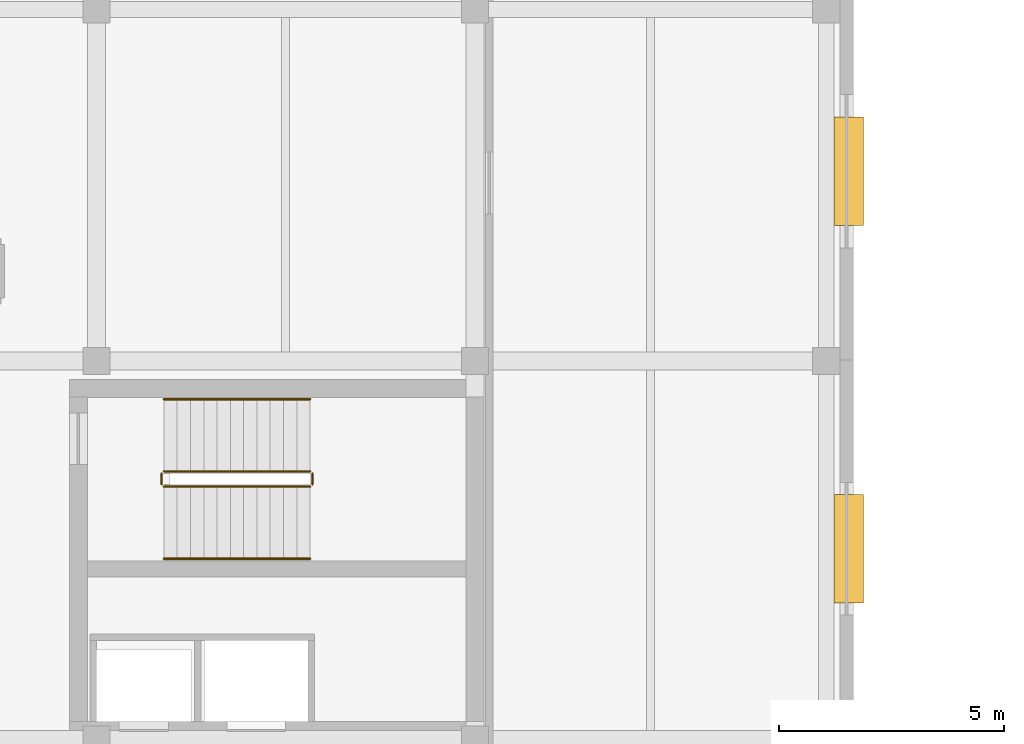
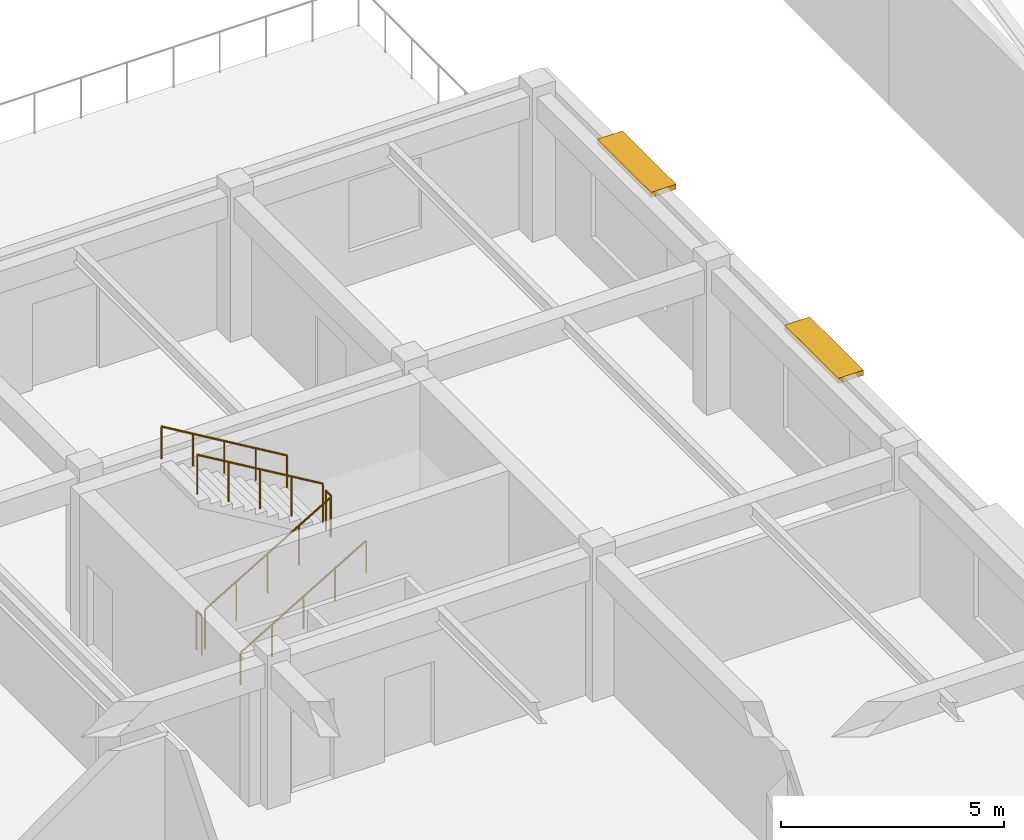
# One storey, part 122 of 123: 6 railings, 2 shading devices.
"""IFC4 building model written with IfcOpenShell, lengths in metres."""

from ifc_helpers import new_model, si_unit, direction, frame, origin, origin_2d, place, context, subcontext, project, spatial, rectangle, circle, extrude, material, type_object, element, save


model = new_model("IFC4")

# Units and contexts
model_context = context("Model", 3, precision=1e-05, world=origin(), true_north=direction((0.0, 1.0)))
body_context = subcontext(model_context, "Body", "Model", "MODEL_VIEW")
ifc_project = project(units=[si_unit("LENGTHUNIT", "METRE"), si_unit("AREAUNIT", "SQUARE_METRE"), si_unit("VOLUMEUNIT", "CUBIC_METRE"), si_unit("PLANEANGLEUNIT", "RADIAN"), si_unit("MASSUNIT", "GRAM", prefix="KILO")], contexts=[model_context])

# Site, building, storey
site_placement = place(None, origin())
site = spatial("IfcSite", under=ifc_project, at=site_placement, CompositionType="ELEMENT")
building_placement = place(site_placement, origin())
building = spatial("IfcBuilding", under=site, at=building_placement, Name="Zayran Congress Hotel", CompositionType="ELEMENT")
storey_placement = place(building_placement, frame((0.0, 0.0, 15.0)))
storey = spatial("IfcBuildingStorey", under=building, at=storey_placement, Name="L03", CompositionType="ELEMENT", Elevation=15.0)

# Shading devices
ifc_material_1 = material(Name="Precast concrete C40/50", Category="concrete")
shading_device_type = type_object("IfcShadingDeviceType", Name="TP-SHD-01", PredefinedType="JALOUSIE", material=ifc_material_1)
for number, where, z_axis, x_axis, name in (
    (1, (134.300048828125, 88.632080078125, 3.7802734375), (0.0, 0.0, 1.0), (0.0, 1.0, 0.0), "Precast Brise Soleil Louvre 22"),
    (2, (134.300048828125, 97.010986328125, 3.7802734375), (0.0, 0.0, 1.0), (0.0, 1.0, 0.0), "Precast Brise Soleil Louvre 23"),
):
    element("IfcShadingDevice", number, at=place(storey_placement, frame(where, z_axis=z_axis, x_axis=x_axis)), inside=storey, type_object=shading_device_type, Name=name, PredefinedType="JALOUSIE", context=body_context, shape_type="SweptSolid", body=[
        extrude(rectangle(XDim=2.39990234375, YDim=0.64990234375, at=origin_2d()), origin(), (0.0, 0.0, 1.0), 0.139892578125),
    ])

# Railings
ifc_material_2 = material(Name="Painted steel balustrade", Category="steel")
railing_type_1 = type_object("IfcRailingType", Name="TP-GRD-INT", PredefinedType="GUARDRAIL", material=ifc_material_2)
railing_1_placement = place(storey_placement, frame((119.10009765625, 90.010009765625, 0.175048828125)))
element("IfcRailing", 3, at=railing_1_placement, inside=storey, type_object=railing_type_1, Name="L03 ST-07 stair guard 1", PredefinedType="GUARDRAIL", context=body_context, shape_type="SweptSolid", body=[
    extrude(circle(Radius=0.02392578125, at=origin_2d()), frame((0.0, 0.0, 1.076171875), z_axis=(0.860040215814, 0.0, 0.510226250974), x_axis=(0.0, 1.0, 0.0)), (0.0, 0.0, 1.0), 3.77294921875),
    extrude(circle(Radius=0.02099609375, at=origin_2d()), origin(), (0.0, 0.0, 1.0), 1.052001953125),
    extrude(circle(Radius=0.02099609375, at=origin_2d()), frame((0.811279296875, 0.0, 0.481201171875)), (0.0, 0.0, 1.0), 1.052001953125),
    extrude(circle(Radius=0.02099609375, at=origin_2d()), frame((1.62255859375, 0.0, 0.96240234375)), (0.0, 0.0, 1.0), 1.052001953125),
    extrude(circle(Radius=0.02099609375, at=origin_2d()), frame((2.43359375, 0.0, 1.44384765625)), (0.0, 0.0, 1.0), 1.052001953125),
    extrude(circle(Radius=0.02099609375, at=origin_2d()), frame((3.244873046875, 0.0, 1.925048828125)), (0.0, 0.0, 1.0), 1.052001953125),
])
railing_2_placement = place(storey_placement, frame((122.39501953125, 90.06005859375, 2.10009765625)))
element("IfcRailing", 4, at=railing_2_placement, inside=storey, type_object=railing_type_1, Name="L03 ST-07 stair guard 2", PredefinedType="GUARDRAIL", context=body_context, shape_type="SweptSolid", body=[
    extrude(circle(Radius=0.02392578125, at=origin_2d()), frame((0.0, 0.0, 1.076171875), z_axis=(0.0, 1.0, 0.0), x_axis=(-1.0, 0.0, 0.0)), (0.0, 0.0, 1.0), 0.239990234375),
    extrude(circle(Radius=0.02099609375, at=origin_2d()), origin(), (0.0, 0.0, 1.0), 1.052001953125),
    extrude(circle(Radius=0.02099609375, at=origin_2d()), frame((0.0, 0.239990234375, 0.0)), (0.0, 0.0, 1.0), 1.052001953125),
])
railing_3_placement = place(storey_placement, frame((122.344970703125, 90.35009765625, 2.27490234375)))
element("IfcRailing", 5, at=railing_3_placement, inside=storey, type_object=railing_type_1, Name="L03 ST-07 stair guard 3", PredefinedType="GUARDRAIL", context=body_context, shape_type="SweptSolid", body=[
    extrude(circle(Radius=0.02392578125, at=origin_2d()), frame((0.0, 0.0, 1.076171875), z_axis=(-0.860040215814, 0.0, 0.510226250974), x_axis=(0.0, -1.0, 0.0)), (0.0, 0.0, 1.0), 3.77294921875),
    extrude(circle(Radius=0.02099609375, at=origin_2d()), origin(), (0.0, 0.0, 1.0), 1.052001953125),
    extrude(circle(Radius=0.02099609375, at=origin_2d()), frame((-0.811279296875, 0.0, 0.481201171875)), (0.0, 0.0, 1.0), 1.052001953125),
    extrude(circle(Radius=0.02099609375, at=origin_2d()), frame((-1.62255859375, 0.0, 0.96240234375)), (0.0, 0.0, 1.0), 1.052001953125),
    extrude(circle(Radius=0.02099609375, at=origin_2d()), frame((-2.43359375, 0.0, 1.44384765625)), (0.0, 0.0, 1.0), 1.052001953125),
    extrude(circle(Radius=0.02099609375, at=origin_2d()), frame((-3.244873046875, 0.0, 1.925048828125)), (0.0, 0.0, 1.0), 1.052001953125),
])
railing_4_placement = place(storey_placement, frame((119.050048828125, 90.06005859375, 0.0)))
element("IfcRailing", 6, at=railing_4_placement, inside=storey, type_object=railing_type_1, Name="L03 ST-07 stair guard 4", PredefinedType="GUARDRAIL", context=body_context, shape_type="SweptSolid", body=[
    extrude(circle(Radius=0.02392578125, at=origin_2d()), frame((0.0, 0.0, 1.076171875), z_axis=(0.0, 1.0, 0.0), x_axis=(-1.0, 0.0, 0.0)), (0.0, 0.0, 1.0), 0.239990234375),
    extrude(circle(Radius=0.02099609375, at=origin_2d()), origin(), (0.0, 0.0, 1.0), 1.052001953125),
    extrude(circle(Radius=0.02099609375, at=origin_2d()), frame((0.0, 0.239990234375, 0.0)), (0.0, 0.0, 1.0), 1.052001953125),
])
ifc_material_3 = material(Name="Brushed stainless steel handrail", Category="steel")
railing_type_2 = type_object("IfcRailingType", Name="TP-HND-STR", PredefinedType="HANDRAIL", material=ifc_material_3)
railing_5_placement = place(storey_placement, frame((119.10009765625, 88.409912109375, 0.175048828125)))
element("IfcRailing", 7, at=railing_5_placement, inside=storey, type_object=railing_type_2, Name="L03 ST-07 stair handrail 1", PredefinedType="HANDRAIL", context=body_context, shape_type="SweptSolid", body=[
    extrude(circle(Radius=0.02392578125, at=origin_2d()), frame((0.0, 0.0, 0.8759765625), z_axis=(0.860040215814, 0.0, 0.510226250974), x_axis=(0.0, 1.0, 0.0)), (0.0, 0.0, 1.0), 3.77294921875),
    extrude(circle(Radius=0.02099609375, at=origin_2d()), origin(), (0.0, 0.0, 1.0), 0.851806640625),
    extrude(circle(Radius=0.02099609375, at=origin_2d()), frame((0.811279296875, 0.0, 0.481201171875)), (0.0, 0.0, 1.0), 0.851806640625),
    extrude(circle(Radius=0.02099609375, at=origin_2d()), frame((1.62255859375, 0.0, 0.96240234375)), (0.0, 0.0, 1.0), 0.851806640625),
    extrude(circle(Radius=0.02099609375, at=origin_2d()), frame((2.43359375, 0.0, 1.44384765625)), (0.0, 0.0, 1.0), 0.851806640625),
    extrude(circle(Radius=0.02099609375, at=origin_2d()), frame((3.244873046875, 0.0, 1.925048828125)), (0.0, 0.0, 1.0), 0.851806640625),
])
railing_6_placement = place(storey_placement, frame((122.344970703125, 91.949951171875, 2.27490234375)))
element("IfcRailing", 8, at=railing_6_placement, inside=storey, type_object=railing_type_2, Name="L03 ST-07 stair handrail 2", PredefinedType="HANDRAIL", context=body_context, shape_type="SweptSolid", body=[
    extrude(circle(Radius=0.02392578125, at=origin_2d()), frame((0.0, 0.0, 0.8759765625), z_axis=(-0.860040215814, 0.0, 0.510226250974), x_axis=(0.0, -1.0, 0.0)), (0.0, 0.0, 1.0), 3.77294921875),
    extrude(circle(Radius=0.02099609375, at=origin_2d()), origin(), (0.0, 0.0, 1.0), 0.851806640625),
    extrude(circle(Radius=0.02099609375, at=origin_2d()), frame((-0.811279296875, 0.0, 0.481201171875)), (0.0, 0.0, 1.0), 0.851806640625),
    extrude(circle(Radius=0.02099609375, at=origin_2d()), frame((-1.62255859375, 0.0, 0.96240234375)), (0.0, 0.0, 1.0), 0.851806640625),
    extrude(circle(Radius=0.02099609375, at=origin_2d()), frame((-2.43359375, 0.0, 1.44384765625)), (0.0, 0.0, 1.0), 0.851806640625),
    extrude(circle(Radius=0.02099609375, at=origin_2d()), frame((-3.244873046875, 0.0, 1.925048828125)), (0.0, 0.0, 1.0), 0.851806640625),
])

save(model, "model.ifc")
